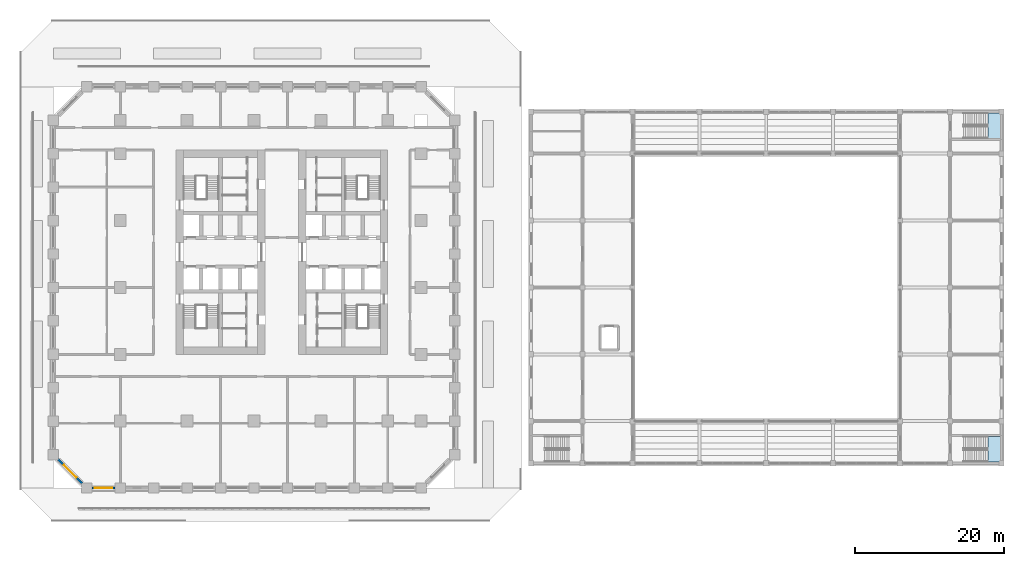
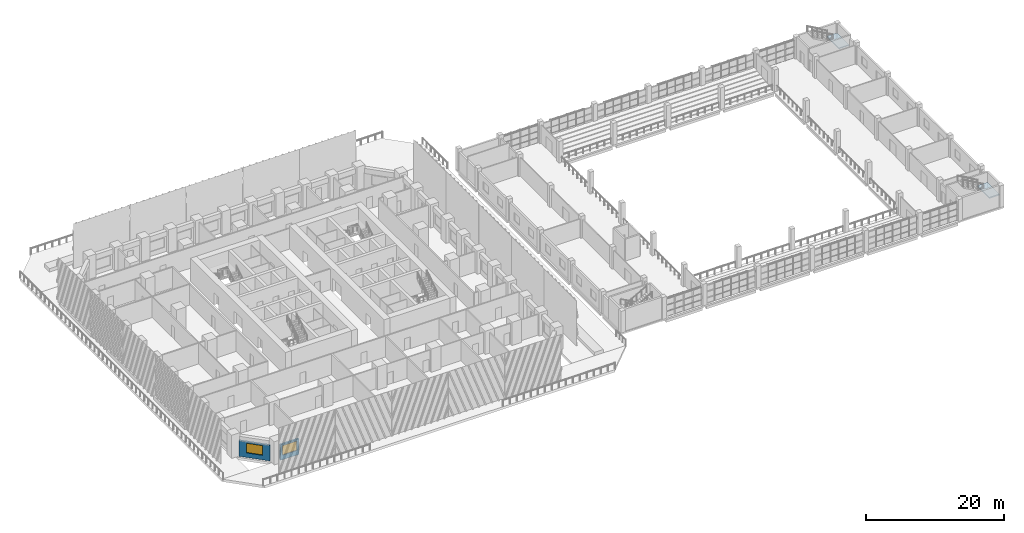
# One storey, part 16 of 36: 2 slabs, 2 walls, 2 windows, 2 openings, 2 elements without a shape of their own.
"""IFC4 building model written with IfcOpenShell, lengths in metres."""

from ifc_helpers import new_model, si_unit, direction, frame, frame_2d, origin, place, context, subcontext, project, spatial, polyline, rectangle, outline, extrude, material, layer, layer_set, type_object, element, fill, aggregate, save


model = new_model("IFC4")

# Units and contexts
model_context = context("Model", 3, precision=1e-05, world=origin(), true_north=direction((0.0, 1.0)))
body_context = subcontext(model_context, "Body", "Model", "MODEL_VIEW")
ifc_project = project(units=[si_unit("LENGTHUNIT", "METRE"), si_unit("AREAUNIT", "SQUARE_METRE"), si_unit("VOLUMEUNIT", "CUBIC_METRE"), si_unit("PLANEANGLEUNIT", "RADIAN"), si_unit("MASSUNIT", "GRAM", prefix="KILO")], contexts=[model_context])

# Site, building, storey
site_placement = place(None, origin())
site = spatial("IfcSite", under=ifc_project, at=site_placement, CompositionType="ELEMENT")
building_placement = place(site_placement, origin())
building = spatial("IfcBuilding", under=site, at=building_placement, Name="Corbel Stack Research Tower", CompositionType="ELEMENT")
storey_placement = place(building_placement, frame((0.0, 0.0, 7.199951171875)))
storey = spatial("IfcBuildingStorey", under=building, at=storey_placement, Name="L01", CompositionType="ELEMENT", Elevation=7.199951171875)

# Stair, slab
ifc_material_1 = material(Name="Concrete C40/50", Category="concrete")
stair_type = type_object("IfcStairType", Name="HST1 exit stair", PredefinedType="HALF_TURN_STAIR", material=ifc_material_1)
stair_1_placement = place(storey_placement, origin())
stair_1 = element("IfcStair", 1, at=stair_1_placement, inside=storey, type_object=stair_type, Name="L01 exit stair 2", PredefinedType="HALF_TURN_STAIR")
ifc_material_2 = material(Name="Concrete C40/50", Category="concrete")
ifc_layer_1 = layer(ifc_material_2, 0.199951171875)
ifc_layer_set_1 = layer_set([ifc_layer_1], Name="Concrete C40/50")
slab_type = type_object("IfcSlabType", Name="HS4 stair landing 200", PredefinedType="LANDING", material=ifc_layer_set_1)
slab_1_placement = place(storey_placement, frame((0.0, 0.0, 1.85009765625)))
slab_1 = element("IfcSlab", 2, at=slab_1_placement, type_object=slab_type, Name="HS2 landing 1", PredefinedType="LANDING", context=body_context, shape_type="SweptSolid", body=[
    extrude(outline(polyline([(98.77490234375, 20.050048828125), (100.449951171875, 20.050048828125), (100.449951171875, 23.5), (98.77490234375, 23.5), (98.77490234375, 20.050048828125)])), origin(), (0.0, 0.0, 1.0), 0.199951171875),
])
aggregate(stair_1, [slab_1])

stair_2_placement = place(storey_placement, origin())
stair_2 = element("IfcStair", 3, at=stair_2_placement, inside=storey, type_object=stair_type, Name="L01 exit stair 3", PredefinedType="HALF_TURN_STAIR")
slab_2_placement = place(storey_placement, frame((0.0, 0.0, 1.85009765625)))
slab_2 = element("IfcSlab", 4, at=slab_2_placement, type_object=slab_type, Name="HS3 landing 1", PredefinedType="LANDING", context=body_context, shape_type="SweptSolid", body=[
    extrude(outline(polyline([(98.77490234375, -23.5), (100.449951171875, -23.5), (100.449951171875, -20.050048828125), (98.77490234375, -20.050048828125), (98.77490234375, -23.5)])), origin(), (0.0, 0.0, 1.0), 0.199951171875),
])
aggregate(stair_2, [slab_2])

# Wall, opening, window
ifc_material_3 = material(Name="Concrete C45/55", Category="concrete")
ifc_layer_2 = layer(ifc_material_3, 0.300048828125)
ifc_layer_set_2 = layer_set([ifc_layer_2], Name="Concrete C45/55")
wall_type = type_object("IfcWallType", Name="Terracotta-faced concrete wall 300", PredefinedType="SOLIDWALL", material=ifc_layer_set_2)
wall_1_placement = place(storey_placement, frame((-18.699951171875, -27.0, 0.0), z_axis=(0.0, 0.0, 1.0), x_axis=(-1.0, 0.0, 0.0)))
wall_1 = element("IfcWall", 5, at=wall_1_placement, inside=storey, type_object=wall_type, Name="Facade wall L01 S01", PredefinedType="SOLIDWALL", context=body_context, shape_type="SweptSolid", body=[
    extrude(rectangle(XDim=3.10009765625, YDim=0.300048828125, at=frame_2d((1.550048828125, 0.0))), origin(), (0.0, 0.0, 1.0), 2.75),
])
opening_1_placement = place(wall_1_placement, frame((0.35009765625, 0.0, 0.800048828125)))
opening_1 = element("IfcOpeningElement", 6, at=opening_1_placement, cuts=wall_1, Name="Opening W1", PredefinedType="OPENING", context=body_context, shape_type="SweptSolid", body=[
    extrude(rectangle(XDim=2.39990234375, YDim=1.699951171875, at=frame_2d((1.199951171875, 0.85009765625))), frame((0.0, 0.159912109375, 0.0), z_axis=(0.0, -1.0, 0.0), x_axis=(1.0, 0.0, 0.0)), (0.0, 0.0, 1.0), 0.320068359375),
])
ifc_material_4 = material(Name="Aluminium frame, clear double glazing", Category="aluminium")
window_type = type_object("IfcWindowType", Name="Window W1 2400 x 1700", PartitioningType="SINGLE_PANEL", PredefinedType="WINDOW", material=ifc_material_4)
window_1_placement = place(opening_1_placement, origin())
window_1 = element("IfcWindow", 7, at=window_1_placement, inside=storey, type_object=window_type, Name="Window W1 L01 S01", OverallHeight=1.699951171875, OverallWidth=2.39990234375, PartitioningType="SINGLE_PANEL", PredefinedType="WINDOW", context=body_context, shape_type="SweptSolid", body=[
    extrude(rectangle(XDim=2.39990234375, YDim=1.699951171875, at=frame_2d((1.199951171875, 0.85009765625))), frame((0.0, 0.030029296875, 0.0), z_axis=(0.0, -1.0, 0.0), x_axis=(1.0, 0.0, 0.0)), (0.0, 0.0, 1.0), 0.06005859375),
])
fill(opening_1, window_1)

wall_2_placement = place(storey_placement, frame((-23.093994140625, -26.406005859375, 0.0), z_axis=(0.0, 0.0, 1.0), x_axis=(-0.707106781187, 0.707106781187, 0.0)))
wall_2 = element("IfcWall", 8, at=wall_2_placement, inside=storey, type_object=wall_type, Name="Facade wall L01 SW01", PredefinedType="SOLIDWALL", context=body_context, shape_type="SweptSolid", body=[
    extrude(rectangle(XDim=4.683837890625, YDim=0.300048828125, at=frame_2d((2.341796875, 0.0))), origin(), (0.0, 0.0, 1.0), 2.75),
])
opening_2_placement = place(wall_2_placement, frame((1.14208984375, 0.0, 0.800048828125)))
opening_2 = element("IfcOpeningElement", 9, at=opening_2_placement, cuts=wall_2, Name="Opening W1", PredefinedType="OPENING", context=body_context, shape_type="SweptSolid", body=[
    extrude(rectangle(XDim=2.39990234375, YDim=1.699951171875, at=frame_2d((1.199951171875, 0.85009765625))), frame((0.0, 0.159912109375, 0.0), z_axis=(0.0, -1.0, 0.0), x_axis=(1.0, 0.0, 0.0)), (0.0, 0.0, 1.0), 0.320068359375),
])
window_2_placement = place(opening_2_placement, origin())
window_2 = element("IfcWindow", 10, at=window_2_placement, inside=storey, type_object=window_type, Name="Window W1 L01 SW01", OverallHeight=1.699951171875, OverallWidth=2.39990234375, PartitioningType="SINGLE_PANEL", PredefinedType="WINDOW", context=body_context, shape_type="SweptSolid", body=[
    extrude(rectangle(XDim=2.39990234375, YDim=1.699951171875, at=frame_2d((1.199951171875, 0.85009765625))), frame((0.0, 0.030029296875, 0.0), z_axis=(0.0, -1.0, 0.0), x_axis=(1.0, 0.0, 0.0)), (0.0, 0.0, 1.0), 0.06005859375),
])
fill(opening_2, window_2)

save(model, "model.ifc")
